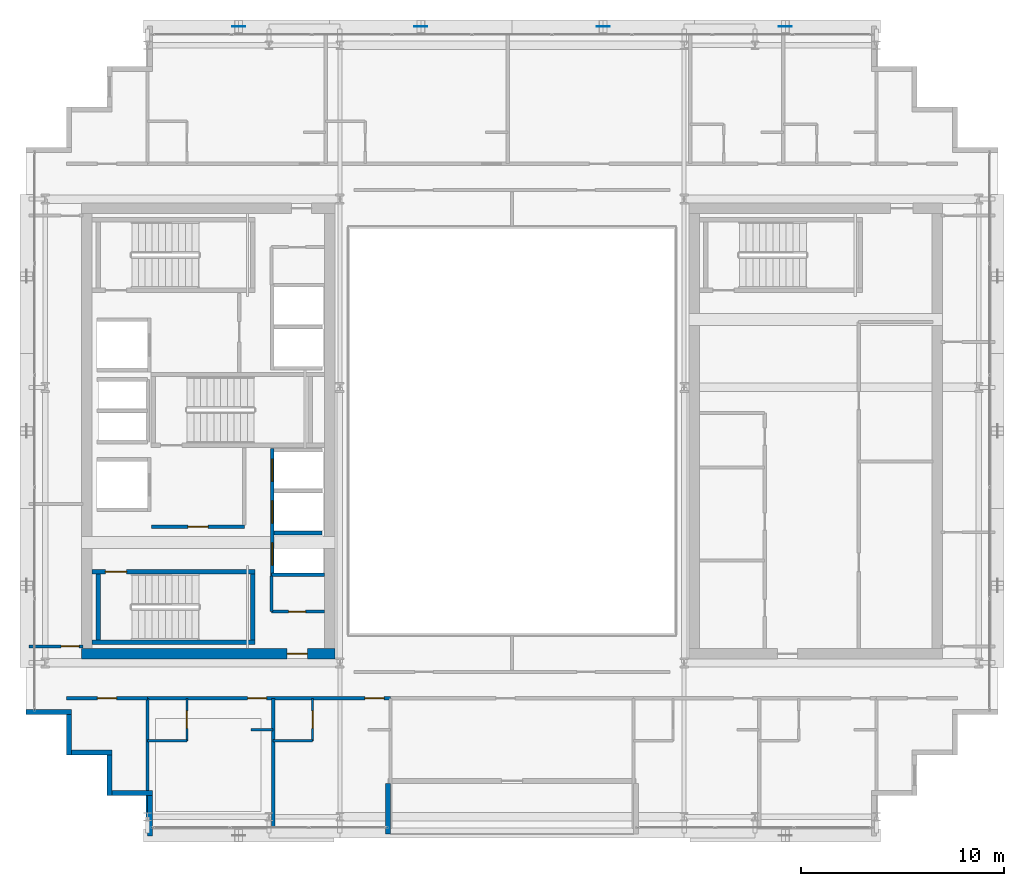
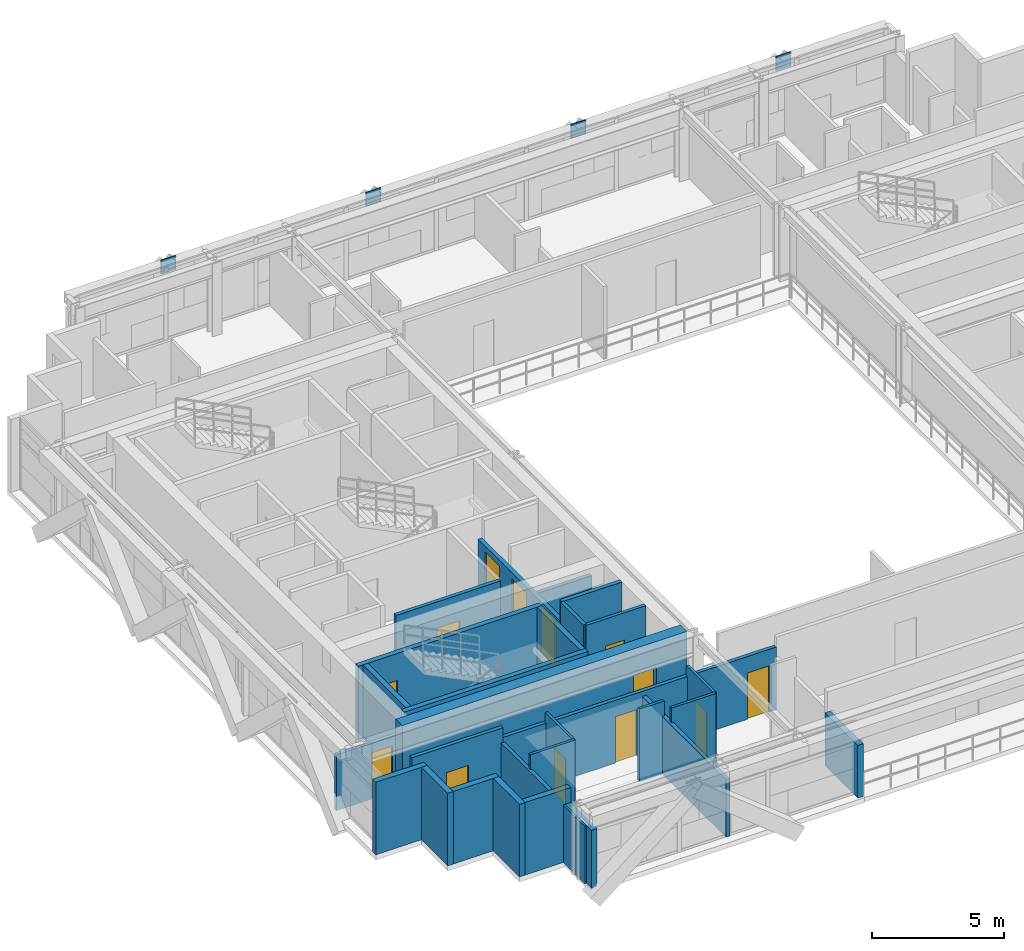
# One storey, part 23 of 31: 28 walls, 13 doors, 4 plates, 13 openings.
"""IFC4 building model written with IfcOpenShell, lengths in metres."""

from ifc_helpers import new_model, si_unit, direction, frame, frame_2d, origin, origin_2d, place, context, subcontext, project, spatial, rectangle, extrude, source, transform, mapped, material, layer, layer_set, type_object, element, fill, save


model = new_model("IFC4")

# Units and contexts
model_context = context("Model", 3, precision=1e-05, world=origin(), true_north=direction((0.0, 1.0)))
body_context = subcontext(model_context, "Body", "Model", "MODEL_VIEW")
ifc_project = project(units=[si_unit("LENGTHUNIT", "METRE"), si_unit("AREAUNIT", "SQUARE_METRE"), si_unit("VOLUMEUNIT", "CUBIC_METRE"), si_unit("PLANEANGLEUNIT", "RADIAN"), si_unit("MASSUNIT", "GRAM", prefix="KILO")], contexts=[model_context])

# Site, building, storey
site_placement = place(None, origin())
site = spatial("IfcSite", under=ifc_project, at=site_placement, CompositionType="ELEMENT")
building_placement = place(site_placement, origin())
building = spatial("IfcBuilding", under=site, at=building_placement, Name="Ocotamira Hotel", CompositionType="ELEMENT")
storey_placement = place(building_placement, frame((0.0, 0.0, 174.0)))
storey = spatial("IfcBuildingStorey", under=building, at=storey_placement, Name="L43", CompositionType="ELEMENT", Elevation=174.0)

# Plates
ifc_material_1 = material(Name="Pale-metal coated steel ASTM A572 Grade 50", Category="steel")
ifc_layer_1 = layer(ifc_material_1, 0.0400390625)
ifc_layer_set_1 = layer_set([ifc_layer_1], Name="Pale-metal coated steel ASTM A572 Grade 50")
plate_type = type_object("IfcPlateType", Name="PLT-GUSSET-40", PredefinedType="SHEET", material=ifc_layer_set_1)
shared_shape_1 = source(origin(), body_context, "Body", "SweptSolid", [
    extrude(rectangle(XDim=0.64990234375, YDim=0.0400390625, at=origin_2d()), origin(), (0.0, 0.0, 1.0), 0.64990234375),
])
for number, where, z_axis, x_axis, name in (
    (1, (18.5, 45.969970703125, 2.795166015625), (0.0, 0.0, 1.0), (1.0, 0.0, 0.0), "L43 Exoskeleton Diagrid N0.1 End Gusset B"),
    (2, (27.5, 45.969970703125, 2.795166015625), (0.0, 0.0, 1.0), (1.0, 0.0, 0.0), "L43 Exoskeleton Diagrid N1.1 End Gusset B"),
    (3, (36.5, 45.969970703125, 2.795166015625), (0.0, 0.0, 1.0), (1.0, 0.0, 0.0), "L43 Exoskeleton Diagrid N2.1 End Gusset B"),
    (4, (45.5, 45.969970703125, 2.795166015625), (0.0, 0.0, 1.0), (1.0, 0.0, 0.0), "L43 Exoskeleton Diagrid N3.1 End Gusset B"),
):
    element("IfcPlate", number, at=place(storey_placement, frame(where, z_axis=z_axis, x_axis=x_axis)), inside=storey, type_object=plate_type, Name=name, PredefinedType="SHEET", context=body_context, shape_type="MappedRepresentation", body=[
        mapped(shared_shape_1, transform((0.0, 0.0, 0.0), scale=1.0)),
    ])

# Wall, opening, door
ifc_material_2 = material(Name="Concrete C50/60", Category="concrete")
ifc_layer_2 = layer(ifc_material_2, 0.5)
ifc_layer_set_2 = layer_set([ifc_layer_2], Name="Concrete C50/60")
wall_type_1 = type_object("IfcWallType", Name="WL-CORE-500", PredefinedType="SHEAR", material=ifc_layer_set_2)
wall_1_placement = place(storey_placement, frame((10.75, 15.0, 0.0), z_axis=(0.0, 0.0, 1.0), x_axis=(1.0, 0.0, 0.0)))
wall_1 = element("IfcWall", 5, at=wall_1_placement, inside=storey, type_object=wall_type_1, Name="L43 Shear Core Wall WCORE-S", PredefinedType="SHEAR", context=body_context, shape_type="SweptSolid", body=[
    extrude(rectangle(XDim=12.5, YDim=0.5, at=frame_2d((6.25, 0.0))), origin(), (0.0, 0.0, 1.0), 3.3701171875),
])
opening_1_placement = place(wall_1_placement, frame((10.14990234375, 0.0, 0.0)))
opening_1 = element("IfcOpeningElement", 6, at=opening_1_placement, cuts=wall_1, Name="Opening D-FR2", PredefinedType="OPENING", context=body_context, shape_type="SweptSolid", body=[
    extrude(rectangle(XDim=1.0, YDim=2.14990234375, at=frame_2d((0.5, 1.074951171875))), frame((0.0, 0.260009765625, 0.0), z_axis=(0.0, -1.0, 0.0), x_axis=(1.0, 0.0, 0.0)), (0.0, 0.0, 1.0), 0.52001953125),
])
ifc_material_3 = material(Name="Fire-rated acoustic timber-veneer door", Category="wood")
door_type_1 = type_object("IfcDoorType", Name="DR-FIRE-1000", OperationType="NOTDEFINED", PredefinedType="DOOR", material=ifc_material_3)
shared_shape_2 = source(origin(), body_context, "Body", "SweptSolid", [
    extrude(rectangle(XDim=1.0, YDim=2.14990234375, at=frame_2d((0.5, 1.074951171875))), frame((0.0, 0.02490234375, 0.0), z_axis=(0.0, -1.0, 0.0), x_axis=(1.0, 0.0, 0.0)), (0.0, 0.0, 1.0), 0.050048828125),
])
door_1_placement = place(opening_1_placement, origin())
door_1 = element("IfcDoor", 7, at=door_1_placement, inside=storey, type_object=door_type_1, Name="L43 Door ID-L43-WLOB-S-D [ID-L43-WLOB-S-D]", OperationType="SINGLE_SWING_LEFT", OverallHeight=2.14990234375, OverallWidth=1.0, PredefinedType="DOOR", context=body_context, shape_type="MappedRepresentation", body=[
    mapped(shared_shape_2, transform((0.0, 0.0, 0.0), scale=1.0)),
])
fill(opening_1, door_1)

# Walls
ifc_material_4 = material(Name="Precast concrete C45/55", Category="concrete")
ifc_layer_3 = layer(ifc_material_4, 0.25)
ifc_layer_set_3 = layer_set([ifc_layer_3], Name="Precast concrete C45/55")
wall_type_2 = type_object("IfcWallType", Name="WL-EXT-SER-250", PredefinedType="SOLIDWALL", material=ifc_layer_set_3)
wall_2_placement = place(storey_placement, frame((8.0, 12.125, 0.0), z_axis=(0.0, 0.0, 1.0), x_axis=(1.0, 0.0, 0.0)))
element("IfcWall", 8, at=wall_2_placement, inside=storey, type_object=wall_type_2, Name="L43 Serrated Corner Wall 19", PredefinedType="SOLIDWALL", context=body_context, shape_type="SweptSolid", body=[
    extrude(rectangle(XDim=2.25, YDim=0.25, at=frame_2d((1.125, 0.0))), origin(), (0.0, 0.0, 1.0), 3.3701171875),
])
for number, where, z_axis, x_axis, name in (
    (9, (10.125, 12.0, 0.0), (0.0, 0.0, 1.0), (0.0, -1.0, 0.0), "L43 Serrated Corner Wall 20"),
    (10, (10.25, 10.125, 0.0), (0.0, 0.0, 1.0), (1.0, 0.0, 0.0), "L43 Serrated Corner Wall 21"),
    (11, (12.125, 10.0, 0.0), (0.0, 0.0, 1.0), (0.0, -1.0, 0.0), "L43 Serrated Corner Wall 22"),
    (12, (12.25, 8.125, 0.0), (0.0, 0.0, 1.0), (1.0, 0.0, 0.0), "L43 Serrated Corner Wall 23"),
):
    element("IfcWall", number, at=place(storey_placement, frame(where, z_axis=z_axis, x_axis=x_axis)), inside=storey, type_object=wall_type_2, Name=name, PredefinedType="SOLIDWALL", context=body_context, shape_type="SweptSolid", body=[
        extrude(rectangle(XDim=2.0, YDim=0.25, at=frame_2d((1.0, 0.0))), origin(), (0.0, 0.0, 1.0), 3.3701171875),
    ])
wall_3_placement = place(storey_placement, frame((14.125, 8.0, 0.0), z_axis=(0.0, 0.0, 1.0), x_axis=(0.0, -1.0, 0.0)))
element("IfcWall", 13, at=wall_3_placement, inside=storey, type_object=wall_type_2, Name="L43 Serrated Corner Wall 24", PredefinedType="SOLIDWALL", context=body_context, shape_type="SweptSolid", body=[
    extrude(rectangle(XDim=2.0, YDim=0.25, at=frame_2d((1.0, 0.0))), origin(), (0.0, 0.0, 1.0), 2.677001953125),
])
wall_4_placement = place(storey_placement, frame((25.875, 6.10009765625, 0.0), z_axis=(0.0, 0.0, 1.0), x_axis=(0.0, 1.0, 0.0)))
element("IfcWall", 14, at=wall_4_placement, inside=storey, type_object=wall_type_2, Name="L43 Sky Terrace Return Wall 1L", PredefinedType="SOLIDWALL", context=body_context, shape_type="SweptSolid", body=[
    extrude(rectangle(XDim=2.5, YDim=0.25, at=frame_2d((1.25, 0.0))), origin(), (0.0, 0.0, 1.0), 2.443115234375),
])

# Wall, opening, door
ifc_material_5 = material(Name="Acoustic double-layer fire gypsum board partition", Category="gypsum")
ifc_layer_4 = layer(ifc_material_5, 0.159912109375)
ifc_layer_set_4 = layer_set([ifc_layer_4], Name="Acoustic double-layer fire gypsum board partition")
wall_type_3 = type_object("IfcWallType", Name="WL-FIRE-160", PredefinedType="PARTITIONING", material=ifc_layer_set_4)
wall_5_placement = place(storey_placement, frame((14.199951171875, 21.27001953125, 0.0), z_axis=(0.0, 0.0, 1.0), x_axis=(1.0, 0.0, 0.0)))
wall_5 = element("IfcWall", 15, at=wall_5_placement, inside=storey, type_object=wall_type_3, Name="L43 Interior Wall PW-L43-FSAE1-S", PredefinedType="PARTITIONING", context=body_context, shape_type="SweptSolid", body=[
    extrude(rectangle(XDim=4.580078125, YDim=0.159912109375, at=frame_2d((2.2900390625, 0.0))), origin(), (0.0, 0.0, 1.0), 3.3701171875),
])
opening_2_placement = place(wall_5_placement, frame((1.800048828125, 0.0, 0.0)))
opening_2 = element("IfcOpeningElement", 16, at=opening_2_placement, cuts=wall_5, Name="Opening D-FR2", PredefinedType="OPENING", context=body_context, shape_type="SweptSolid", body=[
    extrude(rectangle(XDim=1.0, YDim=2.14990234375, at=frame_2d((0.5, 1.074951171875))), frame((0.0, 0.08984375, 0.0), z_axis=(0.0, -1.0, 0.0), x_axis=(1.0, 0.0, 0.0)), (0.0, 0.0, 1.0), 0.179931640625),
])
door_2_placement = place(opening_2_placement, origin())
door_2 = element("IfcDoor", 17, at=door_2_placement, inside=storey, type_object=door_type_1, Name="L43 Door ID-L43-FSAE1-D [ID-L43-FSAE1-D]", OperationType="SINGLE_SWING_LEFT", OverallHeight=2.14990234375, OverallWidth=1.0, PredefinedType="DOOR", context=body_context, shape_type="MappedRepresentation", body=[
    mapped(shared_shape_2, transform((0.0, 0.0, 0.0), scale=1.0)),
])
fill(opening_2, door_2)

wall_6_placement = place(storey_placement, frame((10.0, 12.800048828125, 0.0), z_axis=(0.0, 0.0, 1.0), x_axis=(1.0, 0.0, 0.0)))
wall_6 = element("IfcWall", 18, at=wall_6_placement, inside=storey, type_object=wall_type_3, Name="L43 Interior Wall PW-L43-Z3B-CSW-CW", PredefinedType="PARTITIONING", context=body_context, shape_type="SweptSolid", body=[
    extrude(rectangle(XDim=4.0, YDim=0.159912109375, at=frame_2d((2.0, 0.0))), origin(), (0.0, 0.0, 1.0), 3.3701171875),
])
opening_3_placement = place(wall_6_placement, frame((1.52001953125, 0.0, 0.0)))
opening_3 = element("IfcOpeningElement", 19, at=opening_3_placement, cuts=wall_6, Name="Opening D-SV4", PredefinedType="OPENING", context=body_context, shape_type="SweptSolid", body=[
    extrude(rectangle(XDim=0.9599609375, YDim=2.14990234375, at=frame_2d((0.47998046875, 1.074951171875))), frame((0.0, 0.08984375, 0.0), z_axis=(0.0, -1.0, 0.0), x_axis=(1.0, 0.0, 0.0)), (0.0, 0.0, 1.0), 0.179931640625),
])
ifc_material_6 = material(Name="Fire-rated accessible walnut salon door", Category="wood")
door_type_2 = type_object("IfcDoorType", Name="DR-SERV-960", OperationType="NOTDEFINED", PredefinedType="DOOR", material=ifc_material_6)
shared_shape_3 = source(origin(), body_context, "Body", "SweptSolid", [
    extrude(rectangle(XDim=0.9599609375, YDim=2.14990234375, at=frame_2d((0.47998046875, 1.074951171875))), frame((0.0, 0.02490234375, 0.0), z_axis=(0.0, -1.0, 0.0), x_axis=(1.0, 0.0, 0.0)), (0.0, 0.0, 1.0), 0.050048828125),
])
door_3_placement = place(opening_3_placement, origin())
door_3 = element("IfcDoor", 20, at=door_3_placement, inside=storey, type_object=door_type_2, Name="L43 Door ID-L43-Z3B-CSW-CD [ID-L43-Z3B-CSW-CD]", OperationType="SINGLE_SWING_LEFT", OverallHeight=2.14990234375, OverallWidth=0.9599609375, PredefinedType="DOOR", context=body_context, shape_type="MappedRepresentation", body=[
    mapped(shared_shape_3, transform((0.0, 0.0, 0.0), scale=1.0)),
])
fill(opening_3, door_3)

# Wall, openings, doors
wall_7_placement = place(storey_placement, frame((14.0, 12.800048828125, 0.0), z_axis=(0.0, 0.0, 1.0), x_axis=(1.0, 0.0, 0.0)))
wall_7 = element("IfcWall", 21, at=wall_7_placement, inside=storey, type_object=wall_type_3, Name="L43 Interior Wall PW-L43-Z3BSW-CORRW", PredefinedType="PARTITIONING", context=body_context, shape_type="SweptSolid", body=[
    extrude(rectangle(XDim=12.0, YDim=0.159912109375, at=frame_2d((6.0, 0.0))), origin(), (0.0, 0.0, 1.0), 2.9130859375),
])
opening_4_placement = place(wall_7_placement, frame((4.93994140625, 0.0, 0.0)))
opening_4 = element("IfcOpeningElement", 22, at=opening_4_placement, cuts=wall_7, Name="Opening D-GR1", PredefinedType="OPENING", context=body_context, shape_type="SweptSolid", body=[
    extrude(rectangle(XDim=0.93994140625, YDim=2.14990234375, at=frame_2d((0.469970703125, 1.074951171875))), frame((0.0, 0.08984375, 0.0), z_axis=(0.0, -1.0, 0.0), x_axis=(1.0, 0.0, 0.0)), (0.0, 0.0, 1.0), 0.179931640625),
])
opening_5_placement = place(wall_7_placement, frame((10.739990234375, 0.0, 0.0)))
opening_5 = element("IfcOpeningElement", 23, at=opening_5_placement, cuts=wall_7, Name="Opening D-GR1", PredefinedType="OPENING", context=body_context, shape_type="SweptSolid", body=[
    extrude(rectangle(XDim=0.93994140625, YDim=2.14990234375, at=frame_2d((0.469970703125, 1.074951171875))), frame((0.0, 0.08984375, 0.0), z_axis=(0.0, -1.0, 0.0), x_axis=(1.0, 0.0, 0.0)), (0.0, 0.0, 1.0), 0.179931640625),
])
ifc_material_7 = material(Name="Solid-core walnut suite entrance fire door", Category="wood")
door_type_3 = type_object("IfcDoorType", Name="DR-GUEST-940", OperationType="NOTDEFINED", PredefinedType="DOOR", material=ifc_material_7)
shared_shape_4 = source(origin(), body_context, "Body", "SweptSolid", [
    extrude(rectangle(XDim=0.93994140625, YDim=2.14990234375, at=frame_2d((0.469970703125, 1.074951171875))), frame((0.0, 0.02490234375, 0.0), z_axis=(0.0, -1.0, 0.0), x_axis=(1.0, 0.0, 0.0)), (0.0, 0.0, 1.0), 0.050048828125),
])
door_4_placement = place(opening_4_placement, origin())
door_4 = element("IfcDoor", 24, at=door_4_placement, inside=storey, type_object=door_type_3, Name="L43 Door ID-L43-Z3BSW-RMD1 [ID-L43-Z3BSW-RMD1]", OperationType="SINGLE_SWING_LEFT", OverallHeight=2.14990234375, OverallWidth=0.93994140625, PredefinedType="DOOR", context=body_context, shape_type="MappedRepresentation", body=[
    mapped(shared_shape_4, transform((0.0, 0.0, 0.0), scale=1.0)),
])
fill(opening_4, door_4)
door_5_placement = place(opening_5_placement, origin())
door_5 = element("IfcDoor", 25, at=door_5_placement, inside=storey, type_object=door_type_3, Name="L43 Door ID-L43-Z3BSW-RMD2 [ID-L43-Z3BSW-RMD2]", OperationType="SINGLE_SWING_RIGHT", OverallHeight=2.14990234375, OverallWidth=0.93994140625, PredefinedType="DOOR", context=body_context, shape_type="MappedRepresentation", body=[
    mapped(shared_shape_4, transform((0.0, 0.0, 0.0), scale=1.0)),
])
fill(opening_5, door_5)

# Wall, opening, door
ifc_material_8 = material(Name="Moisture-resistant en-suite tile and gypsum partition", Category="gypsum")
ifc_layer_5 = layer(ifc_material_8, 0.1201171875)
ifc_layer_set_5 = layer_set([ifc_layer_5], Name="Moisture-resistant en-suite tile and gypsum partition")
wall_type_4 = type_object("IfcWallType", Name="WL-PART-120", PredefinedType="PARTITIONING", material=ifc_layer_set_5)
wall_8_placement = place(storey_placement, frame((15.949951171875, 10.699951171875, 0.0), z_axis=(0.0, 0.0, 1.0), x_axis=(0.0, 1.0, 0.0)))
wall_8 = element("IfcWall", 26, at=wall_8_placement, inside=storey, type_object=wall_type_4, Name="L43 Interior Wall PW-L43-Z3BSW-BAE1", PredefinedType="PARTITIONING", context=body_context, shape_type="SweptSolid", body=[
    extrude(rectangle(XDim=2.10009765625, YDim=0.1201171875, at=frame_2d((1.050048828125, 0.0))), origin(), (0.0, 0.0, 1.0), 3.3701171875),
])
opening_6_placement = place(wall_8_placement, frame((0.6201171875, 0.0, 0.0)))
opening_6 = element("IfcOpeningElement", 27, at=opening_6_placement, cuts=wall_8, Name="Opening D-BA1", PredefinedType="OPENING", context=body_context, shape_type="SweptSolid", body=[
    extrude(rectangle(XDim=0.860107421875, YDim=2.10009765625, at=frame_2d((0.43017578125, 1.050048828125))), frame((0.0, 0.070068359375, 0.0), z_axis=(0.0, -1.0, 0.0), x_axis=(1.0, 0.0, 0.0)), (0.0, 0.0, 1.0), 0.14013671875),
])
ifc_material_9 = material(Name="Moisture-sealed en-suite timber door", Category="wood")
door_type_4 = type_object("IfcDoorType", Name="DR-BATH-860", OperationType="NOTDEFINED", PredefinedType="DOOR", material=ifc_material_9)
shared_shape_5 = source(origin(), body_context, "Body", "SweptSolid", [
    extrude(rectangle(XDim=0.860107421875, YDim=2.10009765625, at=frame_2d((0.43017578125, 1.050048828125))), frame((0.0, 0.02490234375, 0.0), z_axis=(0.0, -1.0, 0.0), x_axis=(1.0, 0.0, 0.0)), (0.0, 0.0, 1.0), 0.050048828125),
])
door_6_placement = place(opening_6_placement, origin())
door_6 = element("IfcDoor", 28, at=door_6_placement, inside=storey, type_object=door_type_4, Name="L43 Door ID-L43-Z3BSW-BAD1 [ID-L43-Z3BSW-BAD1]", OperationType="SINGLE_SWING_RIGHT", OverallHeight=2.10009765625, OverallWidth=0.860107421875, PredefinedType="DOOR", context=body_context, shape_type="MappedRepresentation", body=[
    mapped(shared_shape_5, transform((0.0, 0.0, 0.0), scale=1.0)),
])
fill(opening_6, door_6)

# Walls
wall_9_placement = place(storey_placement, frame((14.0, 10.699951171875, 0.0), z_axis=(0.0, 0.0, 1.0), x_axis=(1.0, 0.0, 0.0)))
element("IfcWall", 29, at=wall_9_placement, inside=storey, type_object=wall_type_4, Name="L43 Interior Wall PW-L43-Z3BSW-BAS1", PredefinedType="PARTITIONING", context=body_context, shape_type="SweptSolid", body=[
    extrude(rectangle(XDim=1.949951171875, YDim=0.1201171875, at=frame_2d((0.97509765625, 0.0))), origin(), (0.0, 0.0, 1.0), 3.3701171875),
])
wall_10_placement = place(storey_placement, frame((19.10009765625, 11.25, 0.0), z_axis=(0.0, 0.0, 1.0), x_axis=(1.0, 0.0, 0.0)))
element("IfcWall", 30, at=wall_10_placement, inside=storey, type_object=wall_type_4, Name="L43 Interior Wall PW-L43-Z3BSW-DRN1", PredefinedType="PARTITIONING", context=body_context, shape_type="SweptSolid", body=[
    extrude(rectangle(XDim=1.099853515625, YDim=0.1201171875, at=frame_2d((0.5498046875, 0.0))), origin(), (0.0, 0.0, 1.0), 3.3701171875),
])

# Wall, opening, door
wall_11_placement = place(storey_placement, frame((22.14990234375, 10.699951171875, 0.0), z_axis=(0.0, 0.0, 1.0), x_axis=(0.0, 1.0, 0.0)))
wall_11 = element("IfcWall", 31, at=wall_11_placement, inside=storey, type_object=wall_type_4, Name="L43 Interior Wall PW-L43-Z3BSW-BAE2", PredefinedType="PARTITIONING", context=body_context, shape_type="SweptSolid", body=[
    extrude(rectangle(XDim=2.10009765625, YDim=0.1201171875, at=frame_2d((1.050048828125, 0.0))), origin(), (0.0, 0.0, 1.0), 3.3701171875),
])
opening_7_placement = place(wall_11_placement, frame((0.6201171875, 0.0, 0.0)))
opening_7 = element("IfcOpeningElement", 32, at=opening_7_placement, cuts=wall_11, Name="Opening D-BA1", PredefinedType="OPENING", context=body_context, shape_type="SweptSolid", body=[
    extrude(rectangle(XDim=0.860107421875, YDim=2.10009765625, at=frame_2d((0.43017578125, 1.050048828125))), frame((0.0, 0.070068359375, 0.0), z_axis=(0.0, -1.0, 0.0), x_axis=(1.0, 0.0, 0.0)), (0.0, 0.0, 1.0), 0.14013671875),
])
door_7_placement = place(opening_7_placement, origin())
door_7 = element("IfcDoor", 33, at=door_7_placement, inside=storey, type_object=door_type_4, Name="L43 Door ID-L43-Z3BSW-BAD2 [ID-L43-Z3BSW-BAD2]", OperationType="SINGLE_SWING_LEFT", OverallHeight=2.10009765625, OverallWidth=0.860107421875, PredefinedType="DOOR", context=body_context, shape_type="MappedRepresentation", body=[
    mapped(shared_shape_5, transform((0.0, 0.0, 0.0), scale=1.0)),
])
fill(opening_7, door_7)

# Walls
wall_12_placement = place(storey_placement, frame((20.199951171875, 10.699951171875, 0.0), z_axis=(0.0, 0.0, 1.0), x_axis=(1.0, 0.0, 0.0)))
element("IfcWall", 34, at=wall_12_placement, inside=storey, type_object=wall_type_4, Name="L43 Interior Wall PW-L43-Z3BSW-BAS2", PredefinedType="PARTITIONING", context=body_context, shape_type="SweptSolid", body=[
    extrude(rectangle(XDim=1.949951171875, YDim=0.1201171875, at=frame_2d((0.97509765625, 0.0))), origin(), (0.0, 0.0, 1.0), 3.3701171875),
])
ifc_material_10 = material(Name="Acoustic hospitality gypsum board partition", Category="gypsum")
ifc_layer_6 = layer(ifc_material_10, 0.14208984375)
ifc_layer_set_6 = layer_set([ifc_layer_6], Name="Acoustic hospitality gypsum board partition")
wall_type_5 = type_object("IfcWallType", Name="WL-PART-142", PredefinedType="PARTITIONING", material=ifc_layer_set_6)
wall_13_placement = place(storey_placement, frame((20.1201171875, 17.080078125, 0.0), z_axis=(0.0, 0.0, 1.0), x_axis=(0.0, 1.0, 0.0)))
element("IfcWall", 35, at=wall_13_placement, inside=storey, type_object=wall_type_5, Name="L43 Interior Wall PW-L43-WC-SE-W2", PredefinedType="PARTITIONING", context=body_context, shape_type="SweptSolid", body=[
    extrude(rectangle(XDim=1.760009765625, YDim=0.14208984375, at=frame_2d((0.8798828125, 0.0))), origin(), (0.0, 0.0, 1.0), 3.3701171875),
])

# Wall, opening, door
wall_14_placement = place(storey_placement, frame((20.1201171875, 17.080078125, 0.0), z_axis=(0.0, 0.0, 1.0), x_axis=(1.0, 0.0, 0.0)))
wall_14 = element("IfcWall", 36, at=wall_14_placement, inside=storey, type_object=wall_type_5, Name="L43 Interior Wall PW-L43-WC-SE-S2", PredefinedType="PARTITIONING", context=body_context, shape_type="SweptSolid", body=[
    extrude(rectangle(XDim=2.6298828125, YDim=0.14208984375, at=frame_2d((1.31494140625, 0.0))), origin(), (0.0, 0.0, 1.0), 3.3701171875),
])
opening_8_placement = place(wall_14_placement, frame((0.85009765625, 0.0, 0.0)))
opening_8 = element("IfcOpeningElement", 37, at=opening_8_placement, cuts=wall_14, Name="Opening D-SV1", PredefinedType="OPENING", context=body_context, shape_type="SweptSolid", body=[
    extrude(rectangle(XDim=0.840087890625, YDim=2.10009765625, at=frame_2d((0.419921875, 1.050048828125))), frame((0.0, 0.0810546875, 0.0), z_axis=(0.0, -1.0, 0.0), x_axis=(1.0, 0.0, 0.0)), (0.0, 0.0, 1.0), 0.162109375),
])
ifc_material_11 = material(Name="Fire-rated painted steel service door", Category="steel")
door_type_5 = type_object("IfcDoorType", Name="DR-SERV-840", OperationType="NOTDEFINED", PredefinedType="DOOR", material=ifc_material_11)
shared_shape_6 = source(origin(), body_context, "Body", "SweptSolid", [
    extrude(rectangle(XDim=0.840087890625, YDim=2.10009765625, at=frame_2d((0.419921875, 1.050048828125))), frame((0.0, 0.02490234375, 0.0), z_axis=(0.0, -1.0, 0.0), x_axis=(1.0, 0.0, 0.0)), (0.0, 0.0, 1.0), 0.050048828125),
])
door_8_placement = place(opening_8_placement, origin())
door_8 = element("IfcDoor", 38, at=door_8_placement, inside=storey, type_object=door_type_5, Name="L43 Door ID-L43-WC-SE-D2 [ID-L43-WC-SE-D2]", OperationType="SINGLE_SWING_LEFT", OverallHeight=2.10009765625, OverallWidth=0.840087890625, PredefinedType="DOOR", context=body_context, shape_type="MappedRepresentation", body=[
    mapped(shared_shape_6, transform((0.0, 0.0, 0.0), scale=1.0)),
])
fill(opening_8, door_8)

ifc_layer_7 = layer(ifc_material_10, 0.14990234375)
ifc_layer_set_7 = layer_set([ifc_layer_7], Name="Acoustic hospitality gypsum board partition")
wall_type_6 = type_object("IfcWallType", Name="WL-PART-150", PredefinedType="PARTITIONING", material=ifc_layer_set_7)
wall_15_placement = place(storey_placement, frame((8.159912109375, 15.360107421875, 0.0), z_axis=(0.0, 0.0, 1.0), x_axis=(1.0, 0.0, 0.0)))
wall_15 = element("IfcWall", 39, at=wall_15_placement, inside=storey, type_object=wall_type_6, Name="L43 Interior Wall PW-L43-Z3B-WF-WS", PredefinedType="PARTITIONING", context=body_context, shape_type="SweptSolid", body=[
    extrude(rectangle(XDim=2.66015625, YDim=0.14990234375, at=frame_2d((1.330078125, 0.0))), origin(), (0.0, 0.0, 1.0), 2.591064453125),
])
opening_9_placement = place(wall_15_placement, frame((1.580078125, 0.0, 0.0)))
opening_9 = element("IfcOpeningElement", 40, at=opening_9_placement, cuts=wall_15, Name="Opening D-SV2", PredefinedType="OPENING", context=body_context, shape_type="SweptSolid", body=[
    extrude(rectangle(XDim=0.8798828125, YDim=2.14990234375, at=frame_2d((0.43994140625, 1.074951171875))), frame((0.0, 0.0849609375, 0.0), z_axis=(0.0, -1.0, 0.0), x_axis=(1.0, 0.0, 0.0)), (0.0, 0.0, 1.0), 0.169921875),
])
door_type_6 = type_object("IfcDoorType", Name="DR-SERV-880", OperationType="NOTDEFINED", PredefinedType="DOOR", material=ifc_material_11)
shared_shape_7 = source(origin(), body_context, "Body", "SweptSolid", [
    extrude(rectangle(XDim=0.8798828125, YDim=2.14990234375, at=frame_2d((0.43994140625, 1.074951171875))), frame((0.0, 0.02490234375, 0.0), z_axis=(0.0, -1.0, 0.0), x_axis=(1.0, 0.0, 0.0)), (0.0, 0.0, 1.0), 0.050048828125),
])
door_9_placement = place(opening_9_placement, origin())
door_9 = element("IfcDoor", 41, at=door_9_placement, inside=storey, type_object=door_type_6, Name="L43 Door ID-L43-Z3B-WF-DS [ID-L43-Z3B-WF-DS]", OperationType="SINGLE_SWING_LEFT", OverallHeight=2.14990234375, OverallWidth=0.8798828125, PredefinedType="DOOR", context=body_context, shape_type="MappedRepresentation", body=[
    mapped(shared_shape_7, transform((0.0, 0.0, 0.0), scale=1.0)),
])
fill(opening_9, door_9)

# Walls
ifc_material_12 = material(Name="Acoustic double-stud hospitality gypsum partition", Category="gypsum")
ifc_layer_8 = layer(ifc_material_12, 0.159912109375)
ifc_layer_set_8 = layer_set([ifc_layer_8], Name="Acoustic double-stud hospitality gypsum partition")
wall_type_7 = type_object("IfcWallType", Name="WL-PART-160", PredefinedType="PARTITIONING", material=ifc_layer_set_8)
wall_16_placement = place(storey_placement, frame((14.0, 6.360107421875, 0.0), z_axis=(0.0, 0.0, 1.0), x_axis=(0.0, 1.0, 0.0)))
element("IfcWall", 42, at=wall_16_placement, inside=storey, type_object=wall_type_7, Name="L43 Interior Wall PW-L43-Z3BSW-PW0", PredefinedType="PARTITIONING", context=body_context, shape_type="SweptSolid", body=[
    extrude(rectangle(XDim=6.43994140625, YDim=0.159912109375, at=frame_2d((3.219970703125, 0.0))), origin(), (0.0, 0.0, 1.0), 2.677001953125),
])
ifc_material_13 = material(Name="Double-stud suite party gypsum partition", Category="gypsum")
ifc_layer_9 = layer(ifc_material_13, 0.175048828125)
ifc_layer_set_9 = layer_set([ifc_layer_9], Name="Double-stud suite party gypsum partition")
wall_type_8 = type_object("IfcWallType", Name="WL-PART-175", PredefinedType="PARTITIONING", material=ifc_layer_set_9)
wall_17_placement = place(storey_placement, frame((20.199951171875, 6.360107421875, 0.0), z_axis=(0.0, 0.0, 1.0), x_axis=(0.0, 1.0, 0.0)))
element("IfcWall", 43, at=wall_17_placement, inside=storey, type_object=wall_type_8, Name="L43 Interior Wall PW-L43-Z3BSW-PW1", PredefinedType="PARTITIONING", context=body_context, shape_type="SweptSolid", body=[
    extrude(rectangle(XDim=6.43994140625, YDim=0.175048828125, at=frame_2d((3.219970703125, 0.0))), origin(), (0.0, 0.0, 1.0), 2.677001953125),
])

# Wall, openings, doors
ifc_material_14 = material(Name="Fire-rated gypsum shaftliner board assembly", Category="gypsum")
ifc_layer_10 = layer(ifc_material_14, 0.179931640625)
ifc_layer_set_10 = layer_set([ifc_layer_10], Name="Fire-rated gypsum shaftliner board assembly")
wall_type_9 = type_object("IfcWallType", Name="WL-SHAFT-180", PredefinedType="SOLIDWALL", material=ifc_layer_set_10)
wall_18_placement = place(storey_placement, frame((20.159912109375, 18.820068359375, 0.0), z_axis=(0.0, 0.0, 1.0), x_axis=(0.0, 1.0, 0.0)))
wall_18 = element("IfcWall", 44, at=wall_18_placement, inside=storey, type_object=wall_type_9, Name="L43 Interior Wall PW-L43-LFW-BANK-high-F", PredefinedType="SOLIDWALL", context=body_context, shape_type="SweptSolid", body=[
    extrude(rectangle(XDim=6.31982421875, YDim=0.179931640625, at=frame_2d((3.159912109375, 0.0))), origin(), (0.0, 0.0, 1.0), 2.469970703125),
])
opening_10_placement = place(wall_18_placement, frame((0.554931640625, 0.0, 0.0)))
opening_10 = element("IfcOpeningElement", 45, at=opening_10_placement, cuts=wall_18, Name="Opening LD-LF-P7", PredefinedType="OPENING", context=body_context, shape_type="SweptSolid", body=[
    extrude(rectangle(XDim=1.10009765625, YDim=2.199951171875, at=frame_2d((0.550048828125, 1.10009765625))), frame((0.0, 0.10009765625, 0.0), z_axis=(0.0, -1.0, 0.0), x_axis=(1.0, 0.0, 0.0)), (0.0, 0.0, 1.0), 0.199951171875),
])
opening_11_placement = place(wall_18_placement, frame((2.635009765625, 0.0, 0.0)))
opening_11 = element("IfcOpeningElement", 46, at=opening_11_placement, cuts=wall_18, Name="Opening LD-LF-P8", PredefinedType="OPENING", context=body_context, shape_type="SweptSolid", body=[
    extrude(rectangle(XDim=1.10009765625, YDim=2.199951171875, at=frame_2d((0.550048828125, 1.10009765625))), frame((0.0, 0.10009765625, 0.0), z_axis=(0.0, -1.0, 0.0), x_axis=(1.0, 0.0, 0.0)), (0.0, 0.0, 1.0), 0.199951171875),
])
opening_12_placement = place(wall_18_placement, frame((4.68994140625, 0.0, 0.0)))
opening_12 = element("IfcOpeningElement", 47, at=opening_12_placement, cuts=wall_18, Name="Opening LD-LF-P9", PredefinedType="OPENING", context=body_context, shape_type="SweptSolid", body=[
    extrude(rectangle(XDim=1.10009765625, YDim=2.199951171875, at=frame_2d((0.550048828125, 1.10009765625))), frame((0.0, 0.10009765625, 0.0), z_axis=(0.0, -1.0, 0.0), x_axis=(1.0, 0.0, 0.0)), (0.0, 0.0, 1.0), 0.199951171875),
])
ifc_material_15 = material(Name="Brushed pale-metal stainless elevator landing door", Category="steel")
door_type_7 = type_object("IfcDoorType", Name="DR-LIFT-1100", OperationType="NOTDEFINED", PredefinedType="DOOR", material=ifc_material_15)
shared_shape_8 = source(origin(), body_context, "Body", "SweptSolid", [
    extrude(rectangle(XDim=1.10009765625, YDim=2.199951171875, at=frame_2d((0.550048828125, 1.10009765625))), frame((0.0, 0.02490234375, 0.0), z_axis=(0.0, -1.0, 0.0), x_axis=(1.0, 0.0, 0.0)), (0.0, 0.0, 1.0), 0.050048828125),
])
door_10_placement = place(opening_10_placement, origin())
door_10 = element("IfcDoor", 48, at=door_10_placement, inside=storey, type_object=door_type_7, Name="L43 Landing Door LD-LF-P7 [ID-L43-LD-LF-P7]", OperationType="DOUBLE_DOOR_SLIDING", OverallHeight=2.199951171875, OverallWidth=1.10009765625, PredefinedType="DOOR", context=body_context, shape_type="MappedRepresentation", body=[
    mapped(shared_shape_8, transform((0.0, 0.0, 0.0), scale=1.0)),
])
fill(opening_10, door_10)
door_11_placement = place(opening_11_placement, origin())
door_11 = element("IfcDoor", 49, at=door_11_placement, inside=storey, type_object=door_type_7, Name="L43 Landing Door LD-LF-P8 [ID-L43-LD-LF-P8]", OperationType="DOUBLE_DOOR_SLIDING", OverallHeight=2.199951171875, OverallWidth=1.10009765625, PredefinedType="DOOR", context=body_context, shape_type="MappedRepresentation", body=[
    mapped(shared_shape_8, transform((0.0, 0.0, 0.0), scale=1.0)),
])
fill(opening_11, door_11)
door_12_placement = place(opening_12_placement, origin())
door_12 = element("IfcDoor", 50, at=door_12_placement, inside=storey, type_object=door_type_7, Name="L43 Landing Door LD-LF-P9 [ID-L43-LD-LF-P9]", OperationType="DOUBLE_DOOR_SLIDING", OverallHeight=2.199951171875, OverallWidth=1.10009765625, PredefinedType="DOOR", context=body_context, shape_type="MappedRepresentation", body=[
    mapped(shared_shape_8, transform((0.0, 0.0, 0.0), scale=1.0)),
])
fill(opening_12, door_12)

# Walls
wall_19_placement = place(storey_placement, frame((20.1201171875, 18.909912109375, 0.0), z_axis=(0.0, 0.0, 1.0), x_axis=(1.0, 0.0, 0.0)))
element("IfcWall", 51, at=wall_19_placement, inside=storey, type_object=wall_type_9, Name="L43 Interior Wall PW-L43-LFW-BANK-high-S", PredefinedType="SOLIDWALL", context=body_context, shape_type="SweptSolid", body=[
    extrude(rectangle(XDim=2.6298828125, YDim=0.179931640625, at=frame_2d((1.31494140625, 0.0))), origin(), (0.0, 0.0, 1.0), 3.3701171875),
])
wall_20_placement = place(storey_placement, frame((20.25, 20.965087890625, 0.0), z_axis=(0.0, 0.0, 1.0), x_axis=(1.0, 0.0, 0.0)))
element("IfcWall", 52, at=wall_20_placement, inside=storey, type_object=wall_type_9, Name="L43 Interior Wall PW-L43-LFW-DIV-LF-P7", PredefinedType="SOLIDWALL", context=body_context, shape_type="SweptSolid", body=[
    extrude(rectangle(XDim=2.360107421875, YDim=0.179931640625, at=frame_2d((1.18017578125, 0.0))), origin(), (0.0, 0.0, 1.0), 2.469970703125),
])
ifc_layer_11 = layer(ifc_material_2, 0.219970703125)
ifc_layer_set_11 = layer_set([ifc_layer_11], Name="Concrete C50/60")
wall_type_10 = type_object("IfcWallType", Name="WL-STAIR-220", PredefinedType="SHEAR", material=ifc_layer_set_11)
wall_21_placement = place(storey_placement, frame((11.25, 15.56005859375, 0.0), z_axis=(0.0, 0.0, 1.0), x_axis=(1.0, 0.0, 0.0)))
element("IfcWall", 53, at=wall_21_placement, inside=storey, type_object=wall_type_10, Name="L43 Stair Shaft Structural Wall ST-1-S", PredefinedType="SHEAR", context=body_context, shape_type="SweptSolid", body=[
    extrude(rectangle(XDim=8.06005859375, YDim=0.219970703125, at=frame_2d((4.030029296875, 0.0))), origin(), (0.0, 0.0, 1.0), 3.39990234375),
])

# Wall, opening, door
wall_22_placement = place(storey_placement, frame((11.25, 19.06005859375, 0.0), z_axis=(0.0, 0.0, 1.0), x_axis=(1.0, 0.0, 0.0)))
wall_22 = element("IfcWall", 54, at=wall_22_placement, inside=storey, type_object=wall_type_10, Name="L43 Stair Shaft Structural Wall ST-1-N", PredefinedType="SHEAR", context=body_context, shape_type="SweptSolid", body=[
    extrude(rectangle(XDim=8.06005859375, YDim=0.219970703125, at=frame_2d((4.030029296875, 0.0))), origin(), (0.0, 0.0, 1.0), 3.39990234375),
])
opening_13_placement = place(wall_22_placement, frame((0.669921875, 0.0, 0.0)))
opening_13 = element("IfcOpeningElement", 55, at=opening_13_placement, cuts=wall_22, Name="Opening D-ST2", PredefinedType="OPENING", context=body_context, shape_type="SweptSolid", body=[
    extrude(rectangle(XDim=1.050048828125, YDim=2.14990234375, at=frame_2d((0.52490234375, 1.074951171875))), frame((0.0, 0.1201171875, 0.0), z_axis=(0.0, -1.0, 0.0), x_axis=(1.0, 0.0, 0.0)), (0.0, 0.0, 1.0), 0.239990234375),
])
ifc_material_16 = material(Name="Insulated painted hollow-metal fire exit door", Category="steel")
door_type_8 = type_object("IfcDoorType", Name="DR-STAIR-1050", OperationType="NOTDEFINED", PredefinedType="DOOR", material=ifc_material_16)
shared_shape_9 = source(origin(), body_context, "Body", "SweptSolid", [
    extrude(rectangle(XDim=1.050048828125, YDim=2.14990234375, at=frame_2d((0.52490234375, 1.074951171875))), frame((0.0, 0.02490234375, 0.0), z_axis=(0.0, -1.0, 0.0), x_axis=(1.0, 0.0, 0.0)), (0.0, 0.0, 1.0), 0.050048828125),
])
door_13_placement = place(opening_13_placement, origin())
door_13 = element("IfcDoor", 56, at=door_13_placement, inside=storey, type_object=door_type_8, Name="L43 Door ID-L43-STD-ST-1 [ID-L43-STD-ST-1]", OperationType="SINGLE_SWING_RIGHT", OverallHeight=2.14990234375, OverallWidth=1.050048828125, PredefinedType="DOOR", context=body_context, shape_type="MappedRepresentation", body=[
    mapped(shared_shape_9, transform((0.0, 0.0, 0.0), scale=1.0)),
])
fill(opening_13, door_13)

# Walls
for number, where, z_axis, x_axis, name in (
    (57, (11.56005859375, 15.669921875, 0.0), (0.0, 0.0, 1.0), (0.0, 1.0, 0.0), "L43 Stair Shaft Structural Wall ST-1-W"),
    (58, (19.199951171875, 15.669921875, 0.0), (0.0, 0.0, 1.0), (0.0, 1.0, 0.0), "L43 Stair Shaft Structural Wall ST-1-E"),
):
    element("IfcWall", number, at=place(storey_placement, frame(where, z_axis=z_axis, x_axis=x_axis)), inside=storey, type_object=wall_type_10, Name=name, PredefinedType="SHEAR", context=body_context, shape_type="SweptSolid", body=[
        extrude(rectangle(XDim=3.280029296875, YDim=0.219970703125, at=frame_2d((1.64013671875, 0.0))), origin(), (0.0, 0.0, 1.0), 3.39990234375),
    ])

save(model, "model.ifc")
